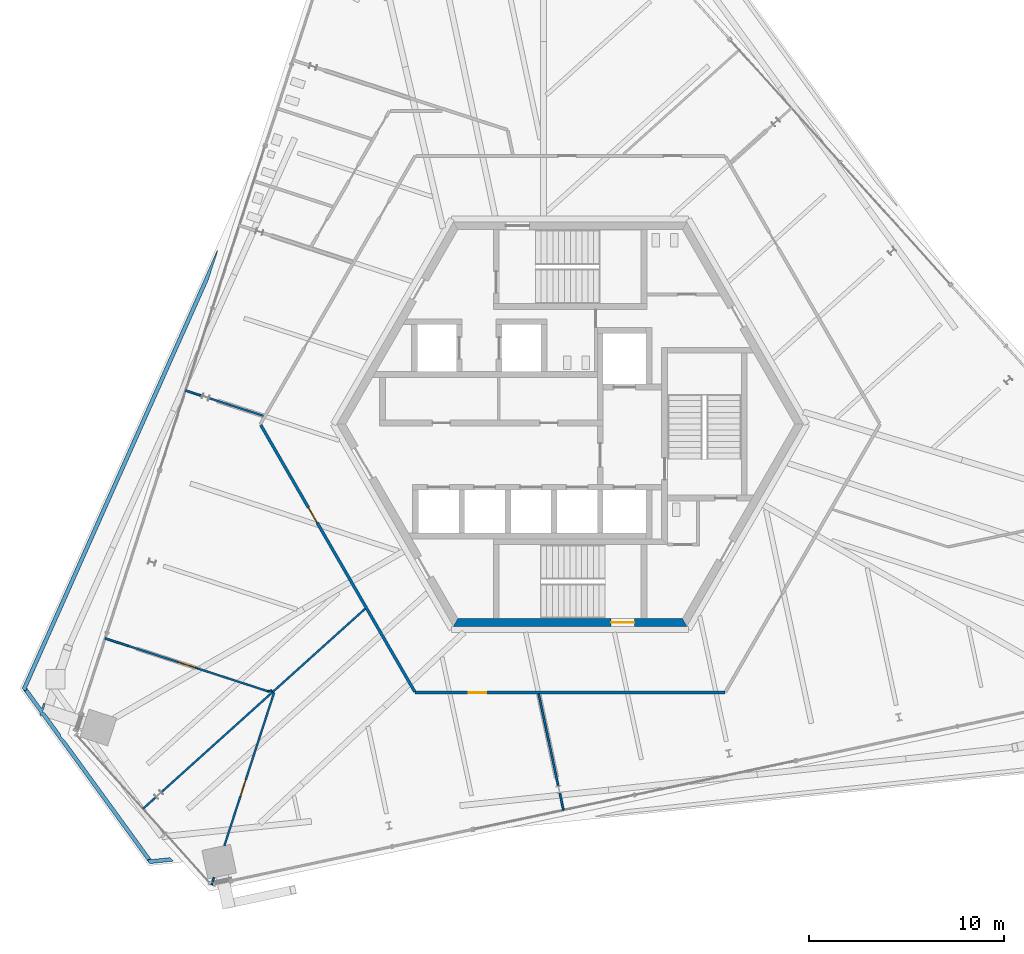
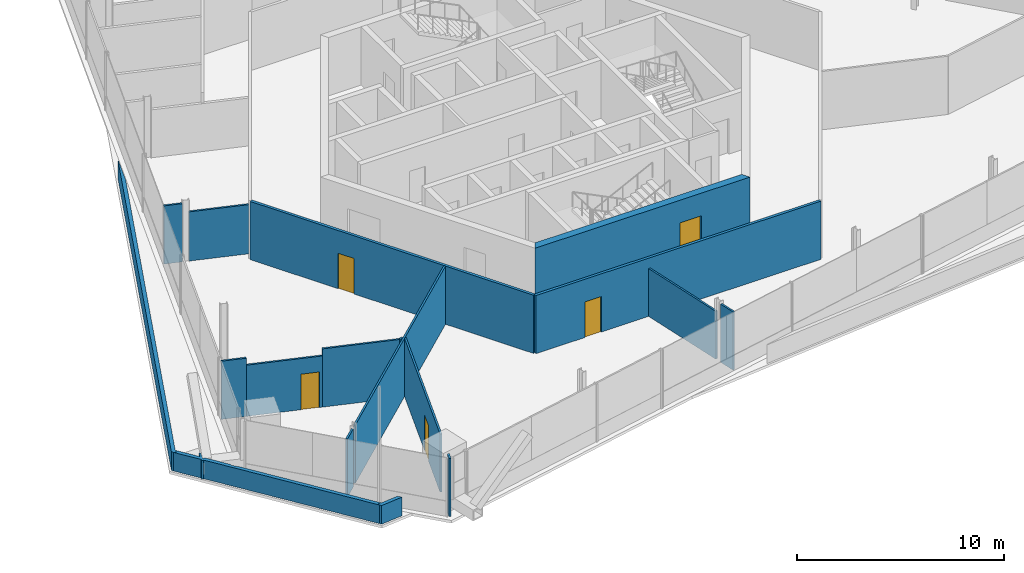
# One storey, part 13 of 20: 18 walls, 5 doors, 5 openings.
"""IFC4 building model written with IfcOpenShell, lengths in metres."""

from ifc_helpers import new_model, si_unit, direction, frame, frame_2d, origin, place, context, subcontext, project, spatial, polyline, rectangle, outline, extrude, source, transform, mapped, material, layer, layer_set, type_object, element, fill, save


model = new_model("IFC4")

# Units and contexts
model_context = context("Model", 3, precision=1e-05, world=origin(), true_north=direction((0.0, 1.0)))
body_context = subcontext(model_context, "Body", "Model", "MODEL_VIEW")
ifc_project = project(units=[si_unit("LENGTHUNIT", "METRE"), si_unit("AREAUNIT", "SQUARE_METRE"), si_unit("VOLUMEUNIT", "CUBIC_METRE"), si_unit("PLANEANGLEUNIT", "RADIAN"), si_unit("MASSUNIT", "GRAM", prefix="KILO")], contexts=[model_context])

# Site, building, storey
site_placement = place(None, origin())
site = spatial("IfcSite", under=ifc_project, at=site_placement, CompositionType="ELEMENT")
building_placement = place(site_placement, origin())
building = spatial("IfcBuilding", under=site, at=building_placement, Name="Triune Harvest Tower", CompositionType="ELEMENT")
storey_placement = place(building_placement, frame((0.0, 0.0, 259.5)))
storey = spatial("IfcBuildingStorey", under=building, at=storey_placement, Name="L68", CompositionType="ELEMENT", Elevation=259.5)

# Walls
ifc_material_1 = material(Name="Concrete 40 MPa", Category="concrete")
ifc_layer_1 = layer(ifc_material_1, 0.199951171875)
ifc_layer_set_1 = layer_set([ifc_layer_1], Name="Concrete 40 MPa")
wall_type_1 = type_object("IfcWallType", Name="PA-1 parapet 200", PredefinedType="PARAPET", material=ifc_layer_set_1)
wall_1_placement = place(storey_placement, origin())
element("IfcWall", 1, at=wall_1_placement, inside=storey, type_object=wall_type_1, Name="Parapet wedge L67 1.1", PredefinedType="PARAPET", context=body_context, shape_type="SweptSolid", body=[
    extrude(outline(polyline([(-21.53271484375, -22.356689453125), (-21.51904296875, -22.37548828125), (-20.564697265625, -22.275146484375), (-20.399169921875, -22.458984375), (-21.61279296875, -22.58642578125), (-21.680908203125, -22.492919921875), (-21.693359375, -22.37353515625), (-21.53271484375, -22.356689453125)])), origin(), (0.0, 0.0, 1.0), 1.10009765625),
])
wall_2_placement = place(storey_placement, origin())
element("IfcWall", 2, at=wall_2_placement, inside=storey, type_object=wall_type_1, Name="Parapet wedge L67 1.2", PredefinedType="PARAPET", context=body_context, shape_type="SweptSolid", body=[
    extrude(outline(polyline([(-18.13232421875, 8.9462890625), (-18.104736328125, 8.935791015625), (-18.608642578125, 7.384765625), (-27.93017578125, -13.551513671875), (-27.91650390625, -13.570068359375), (-27.982421875, -13.7177734375), (-28.091796875, -13.6689453125), (-28.159912109375, -13.57568359375), (-18.13232421875, 8.9462890625)])), origin(), (0.0, 0.0, 1.0), 1.10009765625),
])
wall_3_placement = place(storey_placement, origin())
element("IfcWall", 3, at=wall_3_placement, inside=storey, type_object=wall_type_1, Name="Parapet wedge L67 1.3", PredefinedType="PARAPET", context=body_context, shape_type="SweptSolid", body=[
    extrude(outline(polyline([(-26.988525390625, -14.847412109375), (-26.189697265625, -15.947021484375), (-26.208984375, -16.006591796875), (-25.885009765625, -16.3662109375), (-21.53271484375, -22.356689453125), (-21.693359375, -22.37353515625), (-21.680908203125, -22.492919921875), (-27.1650390625, -14.944580078125), (-27.176513671875, -14.980224609375), (-27.264892578125, -14.951416015625), (-27.232421875, -14.85205078125), (-28.091796875, -13.6689453125), (-27.982421875, -13.7177734375), (-27.91650390625, -13.570068359375), (-27.156005859375, -14.61669921875), (-27.06396484375, -14.33349609375), (-26.975830078125, -14.362060546875), (-27.11962890625, -14.8046875), (-26.988525390625, -14.847412109375)])), origin(), (0.0, 0.0, 1.0), 1.10009765625),
])
ifc_material_2 = material(Name="Gypsum board on steel studs", Category="steel")
ifc_layer_2 = layer(ifc_material_2, 0.10009765625)
ifc_layer_set_2 = layer_set([ifc_layer_2], Name="Gypsum board on steel studs")
wall_type_2 = type_object("IfcWallType", Name="Partition 100 mm", PredefinedType="PARTITIONING", material=ifc_layer_set_2)
wall_4_placement = place(storey_placement, frame((-23.901611328125, -11.0087890625, 0.0), z_axis=(0.0, 0.0, 1.0), x_axis=(0.951061598399, -0.309001352829, 0.0)))
element("IfcWall", 4, at=wall_4_placement, inside=storey, type_object=wall_type_2, Name="Partition L68 006", PredefinedType="PARTITIONING", context=body_context, shape_type="SweptSolid", body=[
    extrude(rectangle(XDim=1.238037109375, YDim=0.10009765625, at=frame_2d((0.619140625, 0.0))), origin(), (0.0, 0.0, 1.0), 3.43994140625),
])

# Wall, opening, door
wall_5_placement = place(storey_placement, frame((-22.72412109375, -11.391357421875, 0.0), z_axis=(0.0, 0.0, 1.0), x_axis=(0.951050759077, -0.309034712707, 0.0)))
wall_5 = element("IfcWall", 5, at=wall_5_placement, inside=storey, type_object=wall_type_2, Name="Partition L68 006a", PredefinedType="PARTITIONING", context=body_context, shape_type="SweptSolid", body=[
    extrude(rectangle(XDim=3.761962890625, YDim=0.10009765625, at=frame_2d((1.880859375, 0.0))), origin(), (0.0, 0.0, 1.0), 3.0234375),
])
opening_1_placement = place(wall_5_placement, frame((2.7119140625, 0.0, 0.0)))
opening_1 = element("IfcOpeningElement", 6, at=opening_1_placement, cuts=wall_5, Name="Opening L68-010", PredefinedType="OPENING", context=body_context, shape_type="SweptSolid", body=[
    extrude(rectangle(XDim=0.89990234375, YDim=2.10009765625, at=frame_2d((0.449951171875, 1.050048828125))), frame((0.0, 0.06005859375, 0.0), z_axis=(0.0, -1.0, 0.0), x_axis=(1.0, 0.0, 0.0)), (0.0, 0.0, 1.0), 0.1201171875),
])
ifc_material_3 = material(Name="Timber and steel door set", Category="steel")
door_type_1 = type_object("IfcDoorType", Name="Single leaf door right hand 900 x 2100", OperationType="SINGLE_SWING_RIGHT", PredefinedType="DOOR", material=ifc_material_3)
door_1_placement = place(opening_1_placement, origin())
door_1 = element("IfcDoor", 7, at=door_1_placement, inside=storey, type_object=door_type_1, Name="Door L68-010 Reception 68.10", OperationType="SINGLE_SWING_RIGHT", OverallHeight=2.10009765625, OverallWidth=0.89990234375, PredefinedType="DOOR", context=body_context, shape_type="SweptSolid", body=[
    extrude(rectangle(XDim=0.89990234375, YDim=2.10009765625, at=frame_2d((0.449951171875, 1.050048828125))), frame((0.0, 0.02490234375, 0.0), z_axis=(0.0, -1.0, 0.0), x_axis=(1.0, 0.0, 0.0)), (0.0, 0.0, 1.0), 0.050048828125),
])
fill(opening_1, door_1)

# Walls
wall_6_placement = place(storey_placement, frame((-19.146240234375, -12.553955078125, 0.0), z_axis=(0.0, 0.0, 1.0), x_axis=(0.951054275897, -0.309023889526, 0.0)))
element("IfcWall", 8, at=wall_6_placement, inside=storey, type_object=wall_type_2, Name="Partition L68 006b", PredefinedType="PARTITIONING", context=body_context, shape_type="SweptSolid", body=[
    extrude(rectangle(XDim=3.8173828125, YDim=0.10009765625, at=frame_2d((1.90869140625, 0.0))), origin(), (0.0, 0.0, 1.0), 3.43994140625),
])
wall_7_placement = place(storey_placement, frame((-15.514892578125, -13.73388671875, 0.0), z_axis=(0.0, 0.0, 1.0), x_axis=(0.978137335845, 0.20795997746, 0.0)))
element("IfcWall", 9, at=wall_7_placement, inside=storey, type_object=wall_type_2, Name="Partition L68 020", PredefinedType="PARTITIONING", context=body_context, shape_type="SweptSolid", body=[
    extrude(rectangle(XDim=0.201904296875, YDim=0.10009765625, at=frame_2d((0.10107421875, 0.0))), origin(), (0.0, 0.0, 1.0), 3.43994140625),
])

# Wall, opening, door
ifc_material_4 = material(Name="Concrete 70 MPa", Category="concrete")
ifc_layer_3 = layer(ifc_material_4, 0.39990234375)
ifc_layer_set_3 = layer_set([ifc_layer_3], Name="Concrete 70 MPa")
wall_type_3 = type_object("IfcWallType", Name="Core wall 400", PredefinedType="SHEAR", material=ifc_layer_set_3)
shared_shape_1 = source(origin(), body_context, "Body", "SweptSolid", [
    extrude(outline(polyline([(-0.115478515625, -0.199951171875), (11.884521484375, -0.199951171875), (11.653564453125, 0.199951171875), (0.115478515625, 0.199951171875), (-0.115478515625, -0.199951171875)])), origin(), (0.0, 0.0, 1.0), 3.43994140625),
])
wall_8_placement = place(storey_placement, frame((-5.884521484375, -10.1923828125, 0.0), z_axis=(0.0, 0.0, 1.0), x_axis=(1.0, 0.0, 0.0)))
wall_8 = element("IfcWall", 10, at=wall_8_placement, inside=storey, type_object=wall_type_3, Name="Hexagon 4 wall", PredefinedType="SHEAR", context=body_context, shape_type="MappedRepresentation", body=[
    mapped(shared_shape_1, transform((0.0, 0.0, 0.0), scale=1.0)),
])
opening_2_placement = place(wall_8_placement, frame((7.984619140625, 0.0, 0.0)))
opening_2 = element("IfcOpeningElement", 11, at=opening_2_placement, cuts=wall_8, Name="Opening CD-S2P", PredefinedType="OPENING", context=body_context, shape_type="SweptSolid", body=[
    extrude(rectangle(XDim=1.199951171875, YDim=2.10009765625, at=frame_2d((0.60009765625, 1.050048828125))), frame((0.0, 0.2099609375, 0.0), z_axis=(0.0, -1.0, 0.0), x_axis=(1.0, 0.0, 0.0)), (0.0, 0.0, 1.0), 0.419921875),
])
ifc_material_5 = material(Name="Steel S235", Category="steel")
door_type_2 = type_object("IfcDoorType", Name="Stair door 1200 FD120", OperationType="SINGLE_SWING_LEFT", PredefinedType="DOOR", material=ifc_material_5)
door_2_placement = place(opening_2_placement, frame((1.199951171875, 0.0, 0.0), z_axis=(0.0, 0.0, 1.0), x_axis=(-1.0, 0.0, 0.0)))
door_2 = element("IfcDoor", 12, at=door_2_placement, inside=storey, type_object=door_type_2, Name="Door CD-S2P", OperationType="SINGLE_SWING_RIGHT", OverallHeight=2.10009765625, OverallWidth=1.199951171875, PredefinedType="DOOR", context=body_context, shape_type="SweptSolid", body=[
    extrude(rectangle(XDim=1.199951171875, YDim=2.10009765625, at=frame_2d((0.60009765625, 1.050048828125))), frame((0.0, 0.02490234375, 0.0), z_axis=(0.0, -1.0, 0.0), x_axis=(1.0, 0.0, 0.0)), (0.0, 0.0, 1.0), 0.050048828125),
])
fill(opening_2, door_2)

# Walls
shared_shape_2 = source(origin(), body_context, "Body", "SweptSolid", [
    extrude(rectangle(XDim=4.852294921875, YDim=0.10009765625, at=frame_2d((2.42626953125, 0.0))), origin(), (0.0, 0.0, 1.0), 2.827880859375),
])
wall_9_placement = place(storey_placement, frame((-1.617431640625, -13.86083984375, 0.0), z_axis=(0.0, 0.0, 1.0), x_axis=(0.207896665906, -0.978150794257, 0.0)))
element("IfcWall", 13, at=wall_9_placement, inside=storey, type_object=wall_type_2, Name="Partition L68 001", PredefinedType="PARTITIONING", context=body_context, shape_type="MappedRepresentation", body=[
    mapped(shared_shape_2, transform((0.0, 0.0, 0.0), scale=1.0)),
])
shared_shape_3 = source(origin(), body_context, "Body", "SweptSolid", [
    extrude(rectangle(XDim=0.91552734375, YDim=0.10009765625, at=frame_2d((0.457763671875, 0.0))), origin(), (0.0, 0.0, 1.0), 3.43994140625),
])
wall_10_placement = place(storey_placement, frame((-0.537841796875, -18.940185546875, 0.0), z_axis=(0.0, 0.0, 1.0), x_axis=(0.207743933161, -0.978183243689, 0.0)))
element("IfcWall", 14, at=wall_10_placement, inside=storey, type_object=wall_type_2, Name="Partition L68 002", PredefinedType="PARTITIONING", context=body_context, shape_type="MappedRepresentation", body=[
    mapped(shared_shape_3, transform((0.0, 0.0, 0.0), scale=1.0)),
])

# Wall, opening, door
ifc_material_6 = material(Name="Gypsum board on steel studs", Category="steel")
ifc_layer_4 = layer(ifc_material_6, 0.14990234375)
ifc_layer_set_4 = layer_set([ifc_layer_4], Name="Gypsum board on steel studs")
wall_type_4 = type_object("IfcWallType", Name="Fire Partition 150 mm", PredefinedType="PARTITIONING", material=ifc_layer_set_4)
shared_shape_4 = source(origin(), body_context, "Body", "SweptSolid", [
    extrude(rectangle(XDim=15.836181640625, YDim=0.14990234375, at=frame_2d((7.91796875, 0.0))), origin(), (0.0, 0.0, 1.0), 3.43994140625),
])
wall_11_placement = place(storey_placement, frame((-15.90087890625, -0.043212890625, 0.0), z_axis=(0.0, 0.0, 1.0), x_axis=(0.499992468509, -0.866029752049, 0.0)))
wall_11 = element("IfcWall", 15, at=wall_11_placement, inside=storey, type_object=wall_type_4, Name="Partition L68 004", PredefinedType="PARTITIONING", context=body_context, shape_type="MappedRepresentation", body=[
    mapped(shared_shape_4, transform((0.0, 0.0, 0.0), scale=1.0)),
])
opening_3_placement = place(wall_11_placement, frame((4.89990234375, 0.0, 0.0)))
opening_3 = element("IfcOpeningElement", 16, at=opening_3_placement, cuts=wall_11, Name="Opening L68-009", PredefinedType="OPENING", context=body_context, shape_type="SweptSolid", body=[
    extrude(rectangle(XDim=0.89990234375, YDim=2.10009765625, at=frame_2d((0.449951171875, 1.050048828125))), frame((0.0, 0.0849609375, 0.0), z_axis=(0.0, -1.0, 0.0), x_axis=(1.0, 0.0, 0.0)), (0.0, 0.0, 1.0), 0.169921875),
])
ifc_material_7 = material(Name="Timber and steel door set", Category="steel")
door_type_3 = type_object("IfcDoorType", Name="Single leaf door FD30 right hand 900 x 2100", OperationType="SINGLE_SWING_RIGHT", PredefinedType="DOOR", material=ifc_material_7)
door_3_placement = place(opening_3_placement, origin())
door_3 = element("IfcDoor", 17, at=door_3_placement, inside=storey, type_object=door_type_3, Name="Door L68-009 Office 68.09", OperationType="SINGLE_SWING_RIGHT", OverallHeight=2.10009765625, OverallWidth=0.89990234375, PredefinedType="DOOR", context=body_context, shape_type="SweptSolid", body=[
    extrude(rectangle(XDim=0.89990234375, YDim=2.10009765625, at=frame_2d((0.449951171875, 1.050048828125))), frame((0.0, 0.02490234375, 0.0), z_axis=(0.0, -1.0, 0.0), x_axis=(1.0, 0.0, 0.0)), (0.0, 0.0, 1.0), 0.050048828125),
])
fill(opening_3, door_3)

# Walls
shared_shape_5 = source(origin(), body_context, "Body", "SweptSolid", [
    extrude(rectangle(XDim=0.9150390625, YDim=0.10009765625, at=frame_2d((0.45751953125, 0.0))), origin(), (0.0, 0.0, 1.0), 3.43994140625),
])
wall_12_placement = place(storey_placement, frame((-19.76318359375, 1.727783203125, 0.0), z_axis=(0.0, 0.0, 1.0), x_axis=(0.95108307013, -0.308935258124, 0.0)))
element("IfcWall", 18, at=wall_12_placement, inside=storey, type_object=wall_type_2, Name="Partition L68 007", PredefinedType="PARTITIONING", context=body_context, shape_type="MappedRepresentation", body=[
    mapped(shared_shape_5, transform((0.0, 0.0, 0.0), scale=1.0)),
])
shared_shape_6 = source(origin(), body_context, "Body", "SweptSolid", [
    extrude(rectangle(XDim=2.95458984375, YDim=0.10009765625, at=frame_2d((1.477294921875, 0.0))), origin(), (0.0, 0.0, 1.0), 2.904052734375),
])
wall_13_placement = place(storey_placement, frame((-18.56884765625, 1.339599609375, 0.0), z_axis=(0.0, 0.0, 1.0), x_axis=(0.951052283617, -0.309030020915, 0.0)))
element("IfcWall", 19, at=wall_13_placement, inside=storey, type_object=wall_type_2, Name="Partition L68 008", PredefinedType="PARTITIONING", context=body_context, shape_type="MappedRepresentation", body=[
    mapped(shared_shape_6, transform((0.0, 0.0, 0.0), scale=1.0)),
])

# Wall, opening, door
shared_shape_7 = source(origin(), body_context, "Body", "SweptSolid", [
    extrude(rectangle(XDim=15.92578125, YDim=0.14990234375, at=frame_2d((7.962890625, 0.0))), origin(), (0.0, 0.0, 1.0), 3.43994140625),
])
wall_14_placement = place(storey_placement, frame((-7.962890625, -13.792236328125, 0.0), z_axis=(0.0, 0.0, 1.0), x_axis=(1.0, 0.0, 0.0)))
wall_14 = element("IfcWall", 20, at=wall_14_placement, inside=storey, type_object=wall_type_4, Name="Partition L68 017", PredefinedType="PARTITIONING", context=body_context, shape_type="MappedRepresentation", body=[
    mapped(shared_shape_7, transform((0.0, 0.0, 0.0), scale=1.0)),
])
opening_4_placement = place(wall_14_placement, frame((2.75, 0.0, 0.0)))
opening_4 = element("IfcOpeningElement", 21, at=opening_4_placement, cuts=wall_14, Name="Opening L68-012", PredefinedType="OPENING", context=body_context, shape_type="SweptSolid", body=[
    extrude(rectangle(XDim=0.89990234375, YDim=2.10009765625, at=frame_2d((0.449951171875, 1.050048828125))), frame((0.0, 0.0849609375, 0.0), z_axis=(0.0, -1.0, 0.0), x_axis=(1.0, 0.0, 0.0)), (0.0, 0.0, 1.0), 0.169921875),
])
door_4_placement = place(opening_4_placement, origin())
door_4 = element("IfcDoor", 22, at=door_4_placement, inside=storey, type_object=door_type_3, Name="Door L68-012 Pantry 68.12", OperationType="SINGLE_SWING_RIGHT", OverallHeight=2.10009765625, OverallWidth=0.89990234375, PredefinedType="DOOR", context=body_context, shape_type="SweptSolid", body=[
    extrude(rectangle(XDim=0.89990234375, YDim=2.10009765625, at=frame_2d((0.449951171875, 1.050048828125))), frame((0.0, 0.02490234375, 0.0), z_axis=(0.0, -1.0, 0.0), x_axis=(1.0, 0.0, 0.0)), (0.0, 0.0, 1.0), 0.050048828125),
])
fill(opening_4, door_4)

# Walls
shared_shape_8 = source(origin(), body_context, "Body", "SweptSolid", [
    extrude(rectangle(XDim=0.915283203125, YDim=0.10009765625, at=frame_2d((0.45751953125, 0.0))), origin(), (0.0, 0.0, 1.0), 3.43994140625),
])
wall_15_placement = place(storey_placement, frame((-21.950927734375, -19.76416015625, 0.0), z_axis=(0.0, 0.0, 1.0), x_axis=(0.743081911728, 0.669200472551, 0.0)))
element("IfcWall", 23, at=wall_15_placement, inside=storey, type_object=wall_type_2, Name="Partition L68 022", PredefinedType="PARTITIONING", context=body_context, shape_type="MappedRepresentation", body=[
    mapped(shared_shape_8, transform((0.0, 0.0, 0.0), scale=1.0)),
])
shared_shape_9 = source(origin(), body_context, "Body", "SweptSolid", [
    extrude(rectangle(XDim=14.111328125, YDim=0.10009765625, at=frame_2d((7.0556640625, 0.0))), origin(), (0.0, 0.0, 1.0), 3.43994140625),
])
wall_16_placement = place(storey_placement, frame((-21.017578125, -18.923583984375, 0.0), z_axis=(0.0, 0.0, 1.0), x_axis=(0.743169393242, 0.669103320085, 0.0)))
element("IfcWall", 24, at=wall_16_placement, inside=storey, type_object=wall_type_2, Name="Partition L68 023", PredefinedType="PARTITIONING", context=body_context, shape_type="MappedRepresentation", body=[
    mapped(shared_shape_9, transform((0.0, 0.0, 0.0), scale=1.0)),
])
shared_shape_10 = source(origin(), body_context, "Body", "SweptSolid", [
    extrude(rectangle(XDim=0.399169921875, YDim=0.10009765625, at=frame_2d((0.19970703125, 0.0))), origin(), (0.0, 0.0, 1.0), 3.43994140625),
])
wall_17_placement = place(storey_placement, frame((-18.426513671875, -23.678466796875, 0.0), z_axis=(0.0, 0.0, 1.0), x_axis=(0.308878611909, 0.951101468354, 0.0)))
element("IfcWall", 25, at=wall_17_placement, inside=storey, type_object=wall_type_2, Name="Partition L68 030", PredefinedType="PARTITIONING", context=body_context, shape_type="MappedRepresentation", body=[
    mapped(shared_shape_10, transform((0.0, 0.0, 0.0), scale=1.0)),
])

# Wall, opening, door
shared_shape_11 = source(origin(), body_context, "Body", "SweptSolid", [
    extrude(rectangle(XDim=8.28564453125, YDim=0.10009765625, at=frame_2d((4.142822265625, 0.0))), origin(), (0.0, 0.0, 1.0), 3.43994140625),
])
wall_18_placement = place(storey_placement, frame((-17.775146484375, -21.673583984375, 0.0), z_axis=(0.0, 0.0, 1.0), x_axis=(0.309032104862, 0.951051606468, 0.0)))
wall_18 = element("IfcWall", 26, at=wall_18_placement, inside=storey, type_object=wall_type_2, Name="Partition L68 031", PredefinedType="PARTITIONING", context=body_context, shape_type="MappedRepresentation", body=[
    mapped(shared_shape_11, transform((0.0, 0.0, 0.0), scale=1.0)),
])
opening_5_placement = place(wall_18_placement, frame((2.675537109375, 0.0, 0.0)))
opening_5 = element("IfcOpeningElement", 27, at=opening_5_placement, cuts=wall_18, Name="Opening L68-011", PredefinedType="OPENING", context=body_context, shape_type="SweptSolid", body=[
    extrude(rectangle(XDim=0.89990234375, YDim=2.10009765625, at=frame_2d((0.449951171875, 1.050048828125))), frame((0.0, 0.06005859375, 0.0), z_axis=(0.0, -1.0, 0.0), x_axis=(1.0, 0.0, 0.0)), (0.0, 0.0, 1.0), 0.1201171875),
])
ifc_material_8 = material(Name="Timber and steel door set", Category="steel")
door_type_4 = type_object("IfcDoorType", Name="Single leaf door left hand 900 x 2100", OperationType="SINGLE_SWING_LEFT", PredefinedType="DOOR", material=ifc_material_8)
door_5_placement = place(opening_5_placement, origin())
door_5 = element("IfcDoor", 28, at=door_5_placement, inside=storey, type_object=door_type_4, Name="Door L68-011 Board Room 68.11", OperationType="SINGLE_SWING_LEFT", OverallHeight=2.10009765625, OverallWidth=0.89990234375, PredefinedType="DOOR", context=body_context, shape_type="SweptSolid", body=[
    extrude(rectangle(XDim=0.89990234375, YDim=2.10009765625, at=frame_2d((0.449951171875, 1.050048828125))), frame((0.0, 0.02490234375, 0.0), z_axis=(0.0, -1.0, 0.0), x_axis=(1.0, 0.0, 0.0)), (0.0, 0.0, 1.0), 0.050048828125),
])
fill(opening_5, door_5)

save(model, "model.ifc")
